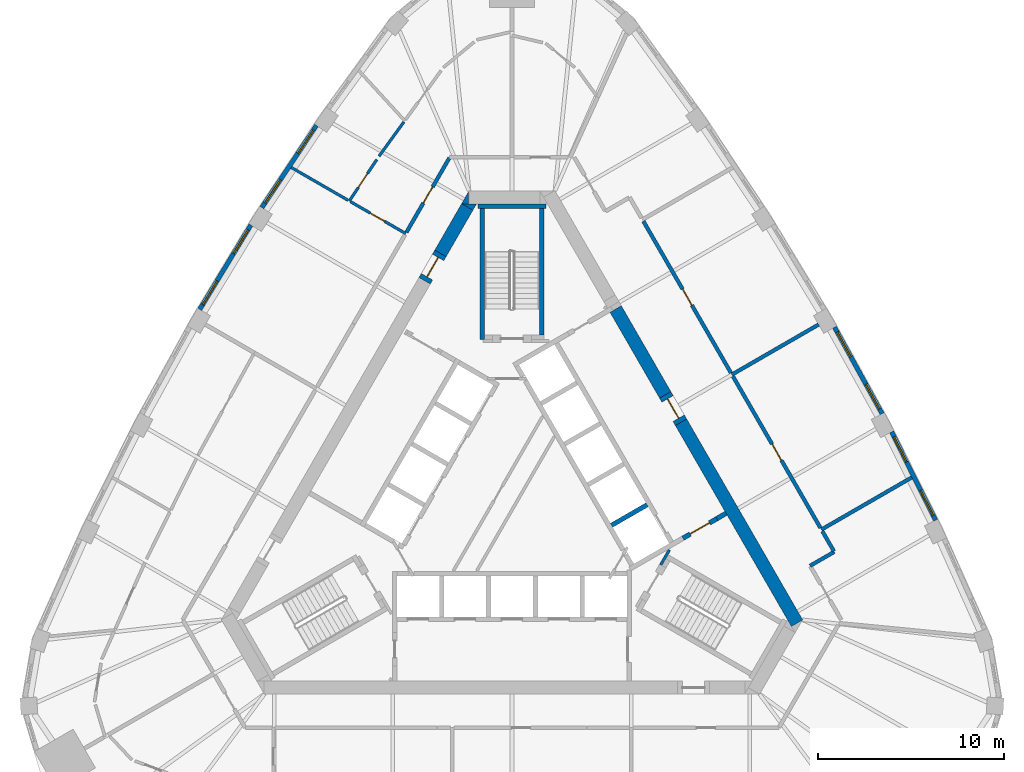
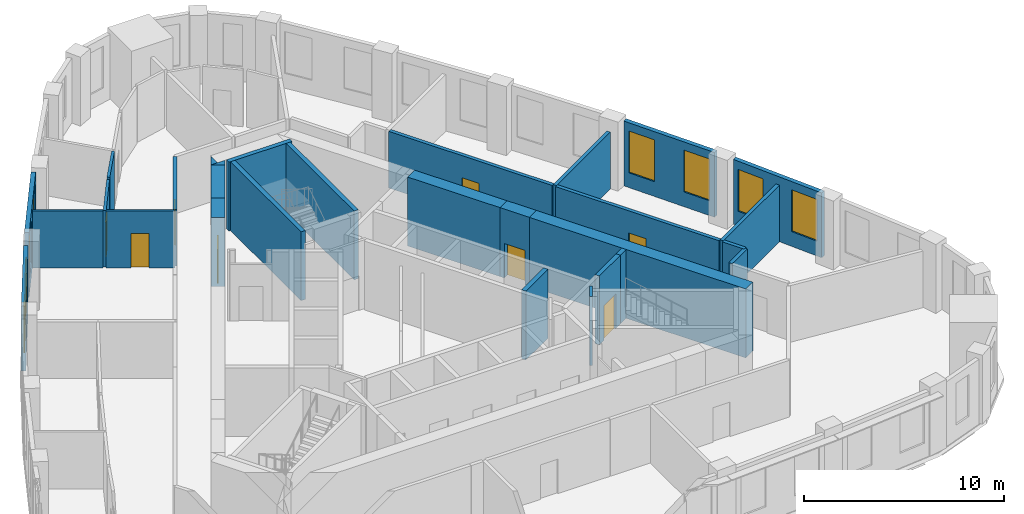
# One storey, part 7 of 10: 29 walls, 8 doors, 8 windows, 16 openings.
"""IFC4 building model written with IfcOpenShell, lengths in metres."""

import ifcopenshell
import ifcopenshell.guid

model = None  # the IFC model being written
_history = None  # IfcOwnerHistory: only IFC2X3 demands one
_inside = {}  # id of a spatial element -> (the spatial element, [elements in it])
_under = {}  # id of a project, library or spatial element -> (it, [spatial elements below it])
_declared = {}  # id of a project -> (the project, [libraries it declares])
_typed = {}  # id of a type object -> (the type object, [elements of that type])
_made_of = {}  # id of a material, layer set ... -> (it, [elements and type objects made of it])


def new_model(schema):
    """Start an empty IFC model of exactly this schema.

    Asked for "IFC4X3", IfcOpenShell would pick the latest addendum, in which some entities
    have other attributes; the version numbers below select the first issue.
    IFC2X3 requires an IfcOwnerHistory on every rooted entity: one is made here for all.
    """
    global model, _history
    if schema == "IFC4X3":
        model = ifcopenshell.file(schema_version=(4, 3, 0, 0))
    else:
        model = ifcopenshell.file(schema=schema)
    _inside.clear()
    _under.clear()
    _declared.clear()
    _typed.clear()
    _made_of.clear()
    _history = None
    if model.schema == "IFC2X3":
        org = make("IfcOrganization", Name="unknown")
        user = make(
            "IfcPersonAndOrganization",
            ThePerson=make("IfcPerson", FamilyName="unknown"),
            TheOrganization=org,
        )
        app = make(
            "IfcApplication",
            ApplicationDeveloper=org,
            Version="unknown",
            ApplicationFullName="unknown",
            ApplicationIdentifier="unknown",
        )
        _history = make(
            "IfcOwnerHistory",
            OwningUser=user,
            OwningApplication=app,
            ChangeAction="ADDED",
            CreationDate=0,
        )
    return model


def make(cls, **values):
    """One entity of the class cls with the attributes given. An attribute that is None is left unset."""
    return model.create_entity(
        cls, **{name: value for name, value in values.items() if value is not None}
    )


def rooted(cls, **values):
    """An entity with a GlobalId (a new one), such as an element, a storey or a relation."""
    return make(cls, GlobalId=ifcopenshell.guid.new(), OwnerHistory=_history, **values)


def si_unit(unit_type, name, prefix=None):
    """IfcSIUnit, for example si_unit("LENGTHUNIT", "METRE", prefix="MILLI")."""
    return make("IfcSIUnit", UnitType=unit_type, Prefix=prefix, Name=name)


def assignment(units):
    """IfcUnitAssignment: the units of a project."""
    return None if units is None else make("IfcUnitAssignment", Units=units)


def point(xyz):
    """IfcCartesianPoint."""
    return None if xyz is None else make("IfcCartesianPoint", Coordinates=xyz)


def direction(xyz):
    """IfcDirection."""
    return None if xyz is None else make("IfcDirection", DirectionRatios=xyz)


def frame(location, z_axis=None, x_axis=None):
    """IfcAxis2Placement3D, a coordinate frame: its origin and axes. An axis left out is left unset."""
    return make(
        "IfcAxis2Placement3D",
        Location=point(location),
        Axis=direction(z_axis),
        RefDirection=direction(x_axis),
    )


def frame_2d(location, x_axis=None):
    """IfcAxis2Placement2D, a coordinate frame in the plane: its origin and x axis."""
    return make(
        "IfcAxis2Placement2D", Location=point(location), RefDirection=direction(x_axis)
    )


def origin():
    """The frame at (0, 0, 0) with its axes left unset."""
    return frame((0.0, 0.0, 0.0))


def place(relative_to, where):
    """IfcLocalPlacement: puts the frame where relative to a parent placement (None: the world)."""
    return make(
        "IfcLocalPlacement", PlacementRelTo=relative_to, RelativePlacement=where
    )


def context(
    kind, dimensions, precision=None, world=None, true_north=None, identifier=None
):
    """IfcGeometricRepresentationContext, for example the 3D "Model" context."""
    return make(
        "IfcGeometricRepresentationContext",
        ContextIdentifier=identifier,
        ContextType=kind,
        CoordinateSpaceDimension=dimensions,
        Precision=precision,
        WorldCoordinateSystem=world,
        TrueNorth=true_north,
    )


def subcontext(parent, identifier, kind, view, scale=None):
    """IfcGeometricRepresentationSubContext, for example "Body" below "Model"."""
    return make(
        "IfcGeometricRepresentationSubContext",
        ContextIdentifier=identifier,
        ContextType=kind,
        ParentContext=parent,
        TargetScale=scale,
        TargetView=view,
    )


def project(units=None, contexts=None):
    """IfcProject with its units and contexts."""
    return rooted(
        "IfcProject",
        Name="project",
        RepresentationContexts=contexts,
        UnitsInContext=assignment(units),
    )


def spatial(cls, under=None, at=None, **own):
    """A site, building, storey or space (cls), placed at a placement, below another one or the project."""
    s = rooted(cls, ObjectPlacement=at, **own)
    if under is not None:
        _under.setdefault(under.id(), (under, []))[1].append(s)
    return s


def polyline(points):
    """IfcPolyline through the points."""
    return make("IfcPolyline", Points=[point(p) for p in points])


def profile(cls, at=None, kind="AREA", **sizes):
    """A parametric profile (cls). Its sizes go by their IFC names, for example OverallWidth=200.0."""
    return make(cls, ProfileType=kind, Position=at, **sizes)


def rectangle(**sizes):
    """IfcRectangleProfileDef."""
    return profile("IfcRectangleProfileDef", **sizes)


def outline(outer, holes=None, kind="AREA"):
    """IfcArbitraryClosedProfileDef: a profile drawn as a closed curve; with holes, ...WithVoids."""
    if holes is None:
        return make("IfcArbitraryClosedProfileDef", ProfileType=kind, OuterCurve=outer)
    return make(
        "IfcArbitraryProfileDefWithVoids",
        ProfileType=kind,
        OuterCurve=outer,
        InnerCurves=holes,
    )


def extrude(swept, where, along, depth):
    """IfcExtrudedAreaSolid: the profile swept, set in the frame where, extruded along a direction by depth."""
    return make(
        "IfcExtrudedAreaSolid",
        SweptArea=swept,
        Position=where,
        ExtrudedDirection=direction(along),
        Depth=depth,
    )


def shape(context_of_items, identifier, shape_type, items):
    """IfcShapeRepresentation: the items that make up one representation, for example the "Body"."""
    return make(
        "IfcShapeRepresentation",
        ContextOfItems=context_of_items,
        RepresentationIdentifier=identifier,
        RepresentationType=shape_type,
        Items=items,
    )


def material(Name=None, Category=None):
    """IfcMaterial."""
    return make("IfcMaterial", Name=Name, Category=Category)


def layer(
    of_material, thickness, ventilated=None, Name=None, Category=None, Priority=None
):
    """IfcMaterialLayer: one layer of a wall or slab, of a material (None: an air gap)."""
    return make(
        "IfcMaterialLayer",
        Material=of_material,
        LayerThickness=thickness,
        IsVentilated=ventilated,
        Name=Name,
        Category=Category,
        Priority=Priority,
    )


def layer_set(layers, Name=None):
    """IfcMaterialLayerSet."""
    return make("IfcMaterialLayerSet", MaterialLayers=layers, LayerSetName=Name)


def made_of(thing, what):
    """Note that an element or type object is made of a material, layer set ...; save() writes the relation."""
    if what is not None:
        _made_of.setdefault(what.id(), (what, []))[1].append(thing)
    return thing


def type_object(cls, material=None, **own):
    """A type object (cls), such as IfcWallType, which elements share."""
    return made_of(rooted(cls, **own), material)


def element(
    cls,
    number,
    at=None,
    inside=None,
    cuts=None,
    type_object=None,
    material=None,
    context=None,
    identifier="Body",
    shape_type=None,
    held_by="IfcProductDefinitionShape",
    body=None,
    shapes=None,
    **own,
):
    """One element of the class cls, such as IfcWall. Its Tag is "e" and its number.

    at: its placement. inside: the storey or other place that contains it. cuts: it is an
    opening in that element (IfcRelVoidsElement). A single representation is given by context,
    identifier, shape_type and body (its items); several are given by shapes. held_by: the class
    of the entity that holds the representations. save() writes the other relations.
    """
    e = rooted(cls, Tag="e%d" % number, ObjectPlacement=at, **own)
    if body is not None:
        shapes = [shape(context, identifier, shape_type, body)]
    if shapes is not None:
        e.Representation = make(held_by, Representations=shapes)
    if inside is not None:
        _inside.setdefault(inside.id(), (inside, []))[1].append(e)
    if cuts is not None:
        rooted(
            "IfcRelVoidsElement", RelatingBuildingElement=cuts, RelatedOpeningElement=e
        )
    if type_object is not None:
        _typed.setdefault(type_object.id(), (type_object, []))[1].append(e)
    return made_of(e, material)


def fill(opening, filler):
    """IfcRelFillsElement: the door or window that sits in an opening."""
    return rooted(
        "IfcRelFillsElement",
        RelatingOpeningElement=opening,
        RelatedBuildingElement=filler,
    )


def aggregate(whole, parts):
    """IfcRelAggregates: a whole, such as a stair, and the parts it consists of."""
    return rooted("IfcRelAggregates", RelatingObject=whole, RelatedObjects=parts)


def save(model, path):
    """Write the relations noted so far, then the file.

    IfcRelAggregates (storeys below a building ...), IfcRelContainedInSpatialStructure (elements
    in a storey), IfcRelDefinesByType, IfcRelAssociatesMaterial and IfcRelDeclares: one each for
    every whole, place, type object, material and project.
    """
    for whole, parts in _under.values():
        aggregate(whole, parts)
    for where, things in _inside.values():
        rooted(
            "IfcRelContainedInSpatialStructure",
            RelatedElements=things,
            RelatingStructure=where,
        )
    for kind, things in _typed.values():
        rooted("IfcRelDefinesByType", RelatedObjects=things, RelatingType=kind)
    for what, things in _made_of.values():
        rooted("IfcRelAssociatesMaterial", RelatedObjects=things, RelatingMaterial=what)
    for by, libraries in _declared.values():
        rooted("IfcRelDeclares", RelatingContext=by, RelatedDefinitions=libraries)
    model.write(path)


model = new_model("IFC4")

# Units and contexts
model_context = context("Model", 3, precision=1e-05, world=origin(), true_north=direction((0.0, 1.0)))
body_context = subcontext(model_context, "Body", "Model", "MODEL_VIEW")
ifc_project = project(units=[si_unit("LENGTHUNIT", "METRE"), si_unit("AREAUNIT", "SQUARE_METRE"), si_unit("VOLUMEUNIT", "CUBIC_METRE"), si_unit("PLANEANGLEUNIT", "RADIAN"), si_unit("MASSUNIT", "GRAM", prefix="KILO")], contexts=[model_context])

# Site, building, storey
site_placement = place(None, origin())
site = spatial("IfcSite", under=ifc_project, at=site_placement, CompositionType="ELEMENT")
building_placement = place(site_placement, origin())
building = spatial("IfcBuilding", under=site, at=building_placement, Name="Mestral Congress Tower", CompositionType="ELEMENT")
storey_placement = place(building_placement, frame((0.0, 0.0, 222.60009765625)))
storey = spatial("IfcBuildingStorey", under=building, at=storey_placement, Name="L52", CompositionType="ELEMENT", Elevation=222.60009765625)

# Walls
ifc_material_1 = material(Name="Concrete C60/75", Category="concrete")
ifc_layer_1 = layer(ifc_material_1, 0.699951171875)
ifc_layer_set_1 = layer_set([ifc_layer_1], Name="Concrete C60/75")
wall_type_1 = type_object("IfcWallType", Name="Core wall RC 700", PredefinedType="SOLIDWALL", material=ifc_layer_set_1)
wall_1_placement = place(storey_placement, frame((9.085205078125, 4.263916015625, 0.0), z_axis=(0.0, 0.0, 1.0), x_axis=(0.499998082512, -0.866026510844, 0.0)))
element("IfcWall", 1, at=wall_1_placement, inside=storey, type_object=wall_type_1, Name="L52 core wall", PredefinedType="SOLIDWALL", context=body_context, shape_type="SweptSolid", body=[
    extrude(rectangle(XDim=12.47216796875, YDim=0.699951171875, at=frame_2d((6.236083984375, 0.0))), origin(), (0.0, 0.0, 1.0), 4.199951171875),
])
wall_2_placement = place(storey_placement, frame((5.5712890625, 10.350341796875, 0.0), z_axis=(0.0, 0.0, 1.0), x_axis=(0.499968379186, -0.8660436593, 0.0)))
element("IfcWall", 2, at=wall_2_placement, inside=storey, type_object=wall_type_1, Name="L52 core wall", PredefinedType="SOLIDWALL", context=body_context, shape_type="SweptSolid", body=[
    extrude(rectangle(XDim=5.327880859375, YDim=0.699951171875, at=frame_2d((2.6640625, 0.0))), origin(), (0.0, 0.0, 1.0), 4.199951171875),
])
placement = place(storey_placement, origin())
element("IfcWall", 3, at=placement, inside=storey, type_object=wall_type_1, Name="L52 core wall", PredefinedType="SOLIDWALL", context=body_context, shape_type="SweptSolid", body=[
    extrude(outline(polyline([(-2.71337890625, 16.0), (-2.325439453125, 16.672119140625), (-2.325439453125, 16.0), (-2.71337890625, 16.0)])), origin(), (0.0, 0.0, 1.0), 4.199951171875),
])
wall_4_placement = place(storey_placement, frame((-2.4033203125, 15.837158203125, 0.0), z_axis=(0.0, 0.0, 1.0), x_axis=(-0.500008214683, -0.866020660983, 0.0)))
element("IfcWall", 4, at=wall_4_placement, inside=storey, type_object=wall_type_1, Name="L52 core wall", PredefinedType="SOLIDWALL", context=body_context, shape_type="SweptSolid", body=[
    extrude(rectangle(XDim=2.88427734375, YDim=0.699951171875, at=frame_2d((1.442138671875, 0.0))), origin(), (0.0, 0.0, 1.0), 4.199951171875),
])
element("IfcWall", 5, at=placement, inside=storey, type_object=wall_type_1, Name="L52 core wall", PredefinedType="SOLIDWALL", context=body_context, shape_type="SweptSolid", body=[
    extrude(outline(polyline([(-1.9052734375, 16.0), (-2.099365234375, 15.6640625), (-2.681396484375, 16.0), (-1.9052734375, 16.0)])), origin(), (0.0, 0.0, 1.0), 4.199951171875),
])

# Wall, opening, door
wall_6_placement = place(storey_placement, frame((-4.695556640625, 11.866943359375, 0.0), z_axis=(0.0, 0.0, 1.0), x_axis=(0.499892348375, 0.866087547558, 0.0)))
wall_6 = element("IfcWall", 6, at=wall_6_placement, inside=storey, type_object=wall_type_1, Name="L52 door wall", PredefinedType="SOLIDWALL", context=body_context, shape_type="SweptSolid", body=[
    extrude(rectangle(XDim=1.699951171875, YDim=0.699951171875, at=frame_2d((0.85009765625, 0.0))), origin(), (0.0, 0.0, 1.0), 4.199951171875),
])
opening_1_placement = place(wall_6_placement, frame((0.25, 0.0, 0.0)))
opening_1 = element("IfcOpeningElement", 7, at=opening_1_placement, cuts=wall_6, Name="Opening XD2", PredefinedType="OPENING", context=body_context, shape_type="SweptSolid", body=[
    extrude(rectangle(XDim=1.199951171875, YDim=2.10009765625, at=frame_2d((0.60009765625, 1.050048828125))), frame((0.0, 0.35986328125, 0.0), z_axis=(0.0, -1.0, 0.0), x_axis=(1.0, 0.0, 0.0)), (0.0, 0.0, 1.0), 0.719970703125),
])
ifc_material_2 = material(Name="Fire-rated steel door set", Category="steel")
door_type_1 = type_object("IfcDoorType", Name="Core door XD 1200x2100", OperationType="SINGLE_SWING_LEFT", PredefinedType="DOOR", material=ifc_material_2)
door_1_placement = place(opening_1_placement, origin())
door_1 = element("IfcDoor", 8, at=door_1_placement, inside=storey, type_object=door_type_1, Name="Door XD2", OperationType="SINGLE_SWING_LEFT", OverallHeight=2.10009765625, OverallWidth=1.199951171875, PredefinedType="DOOR", context=body_context, shape_type="SweptSolid", body=[
    extrude(rectangle(XDim=1.199951171875, YDim=2.10009765625, at=frame_2d((0.60009765625, 1.050048828125))), frame((0.0, 0.02490234375, 0.0), z_axis=(0.0, -1.0, 0.0), x_axis=(1.0, 0.0, 0.0)), (0.0, 0.0, 1.0), 0.050048828125),
])
fill(opening_1, door_1)

wall_7_placement = place(storey_placement, frame((8.2353515625, 5.736083984375, 0.0), z_axis=(0.0, 0.0, 1.0), x_axis=(0.499954529098, -0.86605165483, 0.0)))
wall_7 = element("IfcWall", 9, at=wall_7_placement, inside=storey, type_object=wall_type_1, Name="L52 door wall", PredefinedType="SOLIDWALL", context=body_context, shape_type="SweptSolid", body=[
    extrude(rectangle(XDim=1.699951171875, YDim=0.699951171875, at=frame_2d((0.85009765625, 0.0))), origin(), (0.0, 0.0, 1.0), 4.199951171875),
])
opening_2_placement = place(wall_7_placement, frame((0.25, 0.0, 0.0)))
opening_2 = element("IfcOpeningElement", 10, at=opening_2_placement, cuts=wall_7, Name="Opening XDL", PredefinedType="OPENING", context=body_context, shape_type="SweptSolid", body=[
    extrude(rectangle(XDim=1.199951171875, YDim=2.10009765625, at=frame_2d((0.60009765625, 1.050048828125))), frame((0.0, 0.35986328125, 0.0), z_axis=(0.0, -1.0, 0.0), x_axis=(1.0, 0.0, 0.0)), (0.0, 0.0, 1.0), 0.719970703125),
])
door_2_placement = place(opening_2_placement, origin())
door_2 = element("IfcDoor", 11, at=door_2_placement, inside=storey, type_object=door_type_1, Name="Door XDL", OperationType="SINGLE_SWING_LEFT", OverallHeight=2.10009765625, OverallWidth=1.199951171875, PredefinedType="DOOR", context=body_context, shape_type="SweptSolid", body=[
    extrude(rectangle(XDim=1.199951171875, YDim=2.10009765625, at=frame_2d((0.60009765625, 1.050048828125))), frame((0.0, 0.02490234375, 0.0), z_axis=(0.0, -1.0, 0.0), x_axis=(1.0, 0.0, 0.0)), (0.0, 0.0, 1.0), 0.050048828125),
])
fill(opening_2, door_2)

# Wall, openings, windows
ifc_material_3 = material(Name="Precast concrete C40/50 with limestone facing", Category="masonry")
ifc_layer_2 = layer(ifc_material_3, 0.239990234375)
ifc_layer_set_2 = layer_set([ifc_layer_2], Name="Precast concrete C40/50 with limestone facing")
wall_type_2 = type_object("IfcWallType", Name="Facade stone wall 240", PredefinedType="SOLIDWALL", material=ifc_layer_set_2)
wall_8_placement = place(storey_placement, frame((22.765869140625, -1.0048828125, 0.0), z_axis=(0.0, 0.0, 1.0), x_axis=(-0.445129582031, 0.895466166419, 0.0)))
wall_8 = element("IfcWall", 12, at=wall_8_placement, inside=storey, type_object=wall_type_2, Name="Facade wall F1-01", PredefinedType="SOLIDWALL", context=body_context, shape_type="SweptSolid", body=[
    extrude(rectangle(XDim=5.29833984375, YDim=0.239990234375, at=frame_2d((2.649169921875, 0.0))), origin(), (0.0, 0.0, 1.0), 3.949951171875),
])
opening_3_placement = place(wall_8_placement, frame((0.294677734375, 0.0, 0.89990234375)))
opening_3 = element("IfcOpeningElement", 13, at=opening_3_placement, cuts=wall_8, Name="Opening W4", PredefinedType="OPENING", context=body_context, shape_type="SweptSolid", body=[
    extrude(rectangle(XDim=1.5, YDim=2.550048828125, at=frame_2d((0.75, 1.27490234375))), frame((0.0, 0.1298828125, 0.0), z_axis=(0.0, -1.0, 0.0), x_axis=(1.0, 0.0, 0.0)), (0.0, 0.0, 1.0), 0.260009765625),
])
opening_4_placement = place(wall_8_placement, frame((3.503662109375, 0.0, 0.89990234375)))
opening_4 = element("IfcOpeningElement", 14, at=opening_4_placement, cuts=wall_8, Name="Opening W4", PredefinedType="OPENING", context=body_context, shape_type="SweptSolid", body=[
    extrude(rectangle(XDim=1.5, YDim=2.550048828125, at=frame_2d((0.75, 1.27490234375))), frame((0.0, 0.1298828125, 0.0), z_axis=(0.0, -1.0, 0.0), x_axis=(1.0, 0.0, 0.0)), (0.0, 0.0, 1.0), 0.260009765625),
])
ifc_material_4 = material(Name="Clear low-emissivity double glazing", Category="glass")
window_type = type_object("IfcWindowType", Name="Facade punched window 1500 x 2550 sill 900", PartitioningType="SINGLE_PANEL", PredefinedType="WINDOW", material=ifc_material_4)
window_1_placement = place(opening_3_placement, origin())
window_1 = element("IfcWindow", 15, at=window_1_placement, inside=storey, type_object=window_type, Name="Window F1-01a", OverallHeight=2.550048828125, OverallWidth=1.5, PartitioningType="SINGLE_PANEL", PredefinedType="WINDOW", context=body_context, shape_type="SweptSolid", body=[
    extrude(rectangle(XDim=1.5, YDim=2.550048828125, at=frame_2d((0.75, 1.27490234375))), frame((0.0, 0.0400390625, 0.0), z_axis=(0.0, -1.0, 0.0), x_axis=(1.0, 0.0, 0.0)), (0.0, 0.0, 1.0), 0.06005859375),
])
fill(opening_3, window_1)
window_2_placement = place(opening_4_placement, origin())
window_2 = element("IfcWindow", 16, at=window_2_placement, inside=storey, type_object=window_type, Name="Window F1-01b", OverallHeight=2.550048828125, OverallWidth=1.5, PartitioningType="SINGLE_PANEL", PredefinedType="WINDOW", context=body_context, shape_type="SweptSolid", body=[
    extrude(rectangle(XDim=1.5, YDim=2.550048828125, at=frame_2d((0.75, 1.27490234375))), frame((0.0, 0.0400390625, 0.0), z_axis=(0.0, -1.0, 0.0), x_axis=(1.0, 0.0, 0.0)), (0.0, 0.0, 1.0), 0.06005859375),
])
fill(opening_4, window_2)

wall_9_placement = place(storey_placement, frame((19.8916015625, 4.725341796875, 0.0), z_axis=(0.0, 0.0, 1.0), x_axis=(-0.481925825015, 0.876212017256, 0.0)))
wall_9 = element("IfcWall", 17, at=wall_9_placement, inside=storey, type_object=wall_type_2, Name="Facade wall F1-02", PredefinedType="SOLIDWALL", context=body_context, shape_type="SweptSolid", body=[
    extrude(rectangle(XDim=5.298583984375, YDim=0.239990234375, at=frame_2d((2.6494140625, 0.0))), origin(), (0.0, 0.0, 1.0), 3.949951171875),
])
opening_5_placement = place(wall_9_placement, frame((0.294677734375, 0.0, 0.89990234375)))
opening_5 = element("IfcOpeningElement", 18, at=opening_5_placement, cuts=wall_9, Name="Opening W4", PredefinedType="OPENING", context=body_context, shape_type="SweptSolid", body=[
    extrude(rectangle(XDim=1.5, YDim=2.550048828125, at=frame_2d((0.75, 1.27490234375))), frame((0.0, 0.1298828125, 0.0), z_axis=(0.0, -1.0, 0.0), x_axis=(1.0, 0.0, 0.0)), (0.0, 0.0, 1.0), 0.260009765625),
])
opening_6_placement = place(wall_9_placement, frame((3.503662109375, 0.0, 0.89990234375)))
opening_6 = element("IfcOpeningElement", 19, at=opening_6_placement, cuts=wall_9, Name="Opening W4", PredefinedType="OPENING", context=body_context, shape_type="SweptSolid", body=[
    extrude(rectangle(XDim=1.5, YDim=2.550048828125, at=frame_2d((0.75, 1.27490234375))), frame((0.0, 0.1298828125, 0.0), z_axis=(0.0, -1.0, 0.0), x_axis=(1.0, 0.0, 0.0)), (0.0, 0.0, 1.0), 0.260009765625),
])
window_3_placement = place(opening_5_placement, origin())
window_3 = element("IfcWindow", 20, at=window_3_placement, inside=storey, type_object=window_type, Name="Window F1-02a", OverallHeight=2.550048828125, OverallWidth=1.5, PartitioningType="SINGLE_PANEL", PredefinedType="WINDOW", context=body_context, shape_type="SweptSolid", body=[
    extrude(rectangle(XDim=1.5, YDim=2.550048828125, at=frame_2d((0.75, 1.27490234375))), frame((0.0, 0.0400390625, 0.0), z_axis=(0.0, -1.0, 0.0), x_axis=(1.0, 0.0, 0.0)), (0.0, 0.0, 1.0), 0.06005859375),
])
fill(opening_5, window_3)
window_4_placement = place(opening_6_placement, origin())
window_4 = element("IfcWindow", 21, at=window_4_placement, inside=storey, type_object=window_type, Name="Window F1-02b", OverallHeight=2.550048828125, OverallWidth=1.5, PartitioningType="SINGLE_PANEL", PredefinedType="WINDOW", context=body_context, shape_type="SweptSolid", body=[
    extrude(rectangle(XDim=1.5, YDim=2.550048828125, at=frame_2d((0.75, 1.27490234375))), frame((0.0, 0.0400390625, 0.0), z_axis=(0.0, -1.0, 0.0), x_axis=(1.0, 0.0, 0.0)), (0.0, 0.0, 1.0), 0.06005859375),
])
fill(opening_6, window_4)

wall_10_placement = place(storey_placement, frame((-10.5126953125, 20.21826171875, 0.0), z_axis=(0.0, 0.0, 1.0), x_axis=(-0.552901821755, -0.833246407433, 0.0)))
wall_10 = element("IfcWall", 22, at=wall_10_placement, inside=storey, type_object=wall_type_2, Name="Facade wall F2-01", PredefinedType="SOLIDWALL", context=body_context, shape_type="SweptSolid", body=[
    extrude(rectangle(XDim=5.29833984375, YDim=0.239990234375, at=frame_2d((2.649169921875, 0.0))), origin(), (0.0, 0.0, 1.0), 3.949951171875),
])
opening_7_placement = place(wall_10_placement, frame((0.29443359375, 0.0, 0.89990234375)))
opening_7 = element("IfcOpeningElement", 23, at=opening_7_placement, cuts=wall_10, Name="Opening W4", PredefinedType="OPENING", context=body_context, shape_type="SweptSolid", body=[
    extrude(rectangle(XDim=1.5, YDim=2.550048828125, at=frame_2d((0.75, 1.27490234375))), frame((0.0, 0.1298828125, 0.0), z_axis=(0.0, -1.0, 0.0), x_axis=(1.0, 0.0, 0.0)), (0.0, 0.0, 1.0), 0.260009765625),
])
opening_8_placement = place(wall_10_placement, frame((3.503662109375, 0.0, 0.89990234375)))
opening_8 = element("IfcOpeningElement", 24, at=opening_8_placement, cuts=wall_10, Name="Opening W4", PredefinedType="OPENING", context=body_context, shape_type="SweptSolid", body=[
    extrude(rectangle(XDim=1.5, YDim=2.550048828125, at=frame_2d((0.75, 1.27490234375))), frame((0.0, 0.1298828125, 0.0), z_axis=(0.0, -1.0, 0.0), x_axis=(1.0, 0.0, 0.0)), (0.0, 0.0, 1.0), 0.260009765625),
])
window_5_placement = place(opening_7_placement, origin())
window_5 = element("IfcWindow", 25, at=window_5_placement, inside=storey, type_object=window_type, Name="Window F2-01a", OverallHeight=2.550048828125, OverallWidth=1.5, PartitioningType="SINGLE_PANEL", PredefinedType="WINDOW", context=body_context, shape_type="SweptSolid", body=[
    extrude(rectangle(XDim=1.5, YDim=2.550048828125, at=frame_2d((0.75, 1.27490234375))), frame((0.0, 0.0400390625, 0.0), z_axis=(0.0, -1.0, 0.0), x_axis=(1.0, 0.0, 0.0)), (0.0, 0.0, 1.0), 0.06005859375),
])
fill(opening_7, window_5)
window_6_placement = place(opening_8_placement, origin())
window_6 = element("IfcWindow", 26, at=window_6_placement, inside=storey, type_object=window_type, Name="Window F2-01b", OverallHeight=2.550048828125, OverallWidth=1.5, PartitioningType="SINGLE_PANEL", PredefinedType="WINDOW", context=body_context, shape_type="SweptSolid", body=[
    extrude(rectangle(XDim=1.5, YDim=2.550048828125, at=frame_2d((0.75, 1.27490234375))), frame((0.0, 0.0400390625, 0.0), z_axis=(0.0, -1.0, 0.0), x_axis=(1.0, 0.0, 0.0)), (0.0, 0.0, 1.0), 0.06005859375),
])
fill(opening_8, window_6)

wall_11_placement = place(storey_placement, frame((-14.0380859375, 14.86376953125, 0.0), z_axis=(0.0, 0.0, 1.0), x_axis=(-0.517846166225, -0.855473756538, 0.0)))
wall_11 = element("IfcWall", 27, at=wall_11_placement, inside=storey, type_object=wall_type_2, Name="Facade wall F2-02", PredefinedType="SOLIDWALL", context=body_context, shape_type="SweptSolid", body=[
    extrude(rectangle(XDim=5.298095703125, YDim=0.239990234375, at=frame_2d((2.64892578125, 0.0))), origin(), (0.0, 0.0, 1.0), 3.949951171875),
])
opening_9_placement = place(wall_11_placement, frame((0.29443359375, 0.0, 0.89990234375)))
opening_9 = element("IfcOpeningElement", 28, at=opening_9_placement, cuts=wall_11, Name="Opening W4", PredefinedType="OPENING", context=body_context, shape_type="SweptSolid", body=[
    extrude(rectangle(XDim=1.5, YDim=2.550048828125, at=frame_2d((0.75, 1.27490234375))), frame((0.0, 0.1298828125, 0.0), z_axis=(0.0, -1.0, 0.0), x_axis=(1.0, 0.0, 0.0)), (0.0, 0.0, 1.0), 0.260009765625),
])
opening_10_placement = place(wall_11_placement, frame((3.503662109375, 0.0, 0.89990234375)))
opening_10 = element("IfcOpeningElement", 29, at=opening_10_placement, cuts=wall_11, Name="Opening W4", PredefinedType="OPENING", context=body_context, shape_type="SweptSolid", body=[
    extrude(rectangle(XDim=1.5, YDim=2.550048828125, at=frame_2d((0.75, 1.27490234375))), frame((0.0, 0.1298828125, 0.0), z_axis=(0.0, -1.0, 0.0), x_axis=(1.0, 0.0, 0.0)), (0.0, 0.0, 1.0), 0.260009765625),
])
window_7_placement = place(opening_9_placement, origin())
window_7 = element("IfcWindow", 30, at=window_7_placement, inside=storey, type_object=window_type, Name="Window F2-02a", OverallHeight=2.550048828125, OverallWidth=1.5, PartitioningType="SINGLE_PANEL", PredefinedType="WINDOW", context=body_context, shape_type="SweptSolid", body=[
    extrude(rectangle(XDim=1.5, YDim=2.550048828125, at=frame_2d((0.75, 1.27490234375))), frame((0.0, 0.0400390625, 0.0), z_axis=(0.0, -1.0, 0.0), x_axis=(1.0, 0.0, 0.0)), (0.0, 0.0, 1.0), 0.06005859375),
])
fill(opening_9, window_7)
window_8_placement = place(opening_10_placement, origin())
window_8 = element("IfcWindow", 31, at=window_8_placement, inside=storey, type_object=window_type, Name="Window F2-02b", OverallHeight=2.550048828125, OverallWidth=1.5, PartitioningType="SINGLE_PANEL", PredefinedType="WINDOW", context=body_context, shape_type="SweptSolid", body=[
    extrude(rectangle(XDim=1.5, YDim=2.550048828125, at=frame_2d((0.75, 1.27490234375))), frame((0.0, 0.0400390625, 0.0), z_axis=(0.0, -1.0, 0.0), x_axis=(1.0, 0.0, 0.0)), (0.0, 0.0, 1.0), 0.06005859375),
])
fill(opening_10, window_8)

# Wall
ifc_material_5 = material(Name="Plasterboard partition on steel studs", Category="steel")
ifc_layer_3 = layer(ifc_material_5, 0.14990234375)
ifc_layer_set_3 = layer_set([ifc_layer_3], Name="Plasterboard partition on steel studs")
wall_type_3 = type_object("IfcWallType", Name="Office partition 150", PredefinedType="PARTITIONING", material=ifc_layer_set_3)
wall_12_placement = place(storey_placement, frame((-5.80908203125, 20.4072265625, 0.0), z_axis=(0.0, 0.0, 1.0), x_axis=(-0.587095604593, -0.809517603927, 0.0)))
element("IfcWall", 32, at=wall_12_placement, inside=storey, type_object=wall_type_3, Name="Partition", PredefinedType="PARTITIONING", context=body_context, shape_type="SweptSolid", body=[
    extrude(rectangle(XDim=2.281005859375, YDim=0.14990234375, at=frame_2d((1.140625, 0.0))), origin(), (0.0, 0.0, 1.0), 3.449951171875),
])

# Wall, opening, door
wall_13_placement = place(storey_placement, frame((-8.74365234375, 16.156005859375, 0.0), z_axis=(0.0, 0.0, 1.0), x_axis=(0.552885218102, 0.833257424572, 0.0)))
wall_13 = element("IfcWall", 33, at=wall_13_placement, inside=storey, type_object=wall_type_3, Name="Partition", PredefinedType="PARTITIONING", context=body_context, shape_type="SweptSolid", body=[
    extrude(rectangle(XDim=2.671630859375, YDim=0.14990234375, at=frame_2d((1.3359375, 0.0))), origin(), (0.0, 0.0, 1.0), 3.449951171875),
])
opening_11_placement = place(wall_13_placement, frame((0.87158203125, 0.0, 0.0)))
opening_11 = element("IfcOpeningElement", 34, at=opening_11_placement, cuts=wall_13, Name="Opening O07-010", PredefinedType="OPENING", context=body_context, shape_type="SweptSolid", body=[
    extrude(rectangle(XDim=0.89990234375, YDim=2.10009765625, at=frame_2d((0.449951171875, 1.050048828125))), frame((0.0, 0.0849609375, 0.0), z_axis=(0.0, -1.0, 0.0), x_axis=(1.0, 0.0, 0.0)), (0.0, 0.0, 1.0), 0.169921875),
])
ifc_material_6 = material(Name="Timber door set", Category="wood")
door_type_2 = type_object("IfcDoorType", Name="Office door 900x2100", OperationType="SINGLE_SWING_LEFT", PredefinedType="DOOR", material=ifc_material_6)
door_3_placement = place(opening_11_placement, origin())
door_3 = element("IfcDoor", 35, at=door_3_placement, inside=storey, type_object=door_type_2, Name="Door O07-010", OperationType="SINGLE_SWING_LEFT", OverallHeight=2.10009765625, OverallWidth=0.89990234375, PredefinedType="DOOR", context=body_context, shape_type="SweptSolid", body=[
    extrude(rectangle(XDim=0.89990234375, YDim=2.10009765625, at=frame_2d((0.449951171875, 1.050048828125))), frame((0.0, 0.02490234375, 0.0), z_axis=(0.0, -1.0, 0.0), x_axis=(1.0, 0.0, 0.0)), (0.0, 0.0, 1.0), 0.050048828125),
])
fill(opening_11, door_3)

# Wall
wall_14_placement = place(storey_placement, frame((-8.808837890625, 16.193603515625, 0.0), z_axis=(0.0, 0.0, 1.0), x_axis=(-0.865996792572, 0.500049552799, 0.0)))
element("IfcWall", 36, at=wall_14_placement, inside=storey, type_object=wall_type_3, Name="Partition", PredefinedType="PARTITIONING", context=body_context, shape_type="SweptSolid", body=[
    extrude(rectangle(XDim=3.531982421875, YDim=0.14990234375, at=frame_2d((1.76611328125, 0.0))), origin(), (0.0, 0.0, 1.0), 3.449951171875),
])

# Wall, opening, door
wall_15_placement = place(storey_placement, frame((-5.71240234375, 14.406005859375, 0.0), z_axis=(0.0, 0.0, 1.0), x_axis=(-0.866050272892, 0.499956922968, 0.0)))
wall_15 = element("IfcWall", 37, at=wall_15_placement, inside=storey, type_object=wall_type_3, Name="Partition", PredefinedType="PARTITIONING", context=body_context, shape_type="SweptSolid", body=[
    extrude(rectangle(XDim=3.425048828125, YDim=0.14990234375, at=frame_2d((1.71240234375, 0.0))), origin(), (0.0, 0.0, 1.0), 3.449951171875),
])
opening_12_placement = place(wall_15_placement, frame((1.300048828125, 0.0, 0.0)))
opening_12 = element("IfcOpeningElement", 38, at=opening_12_placement, cuts=wall_15, Name="Opening O07-012", PredefinedType="OPENING", context=body_context, shape_type="SweptSolid", body=[
    extrude(rectangle(XDim=0.89990234375, YDim=2.10009765625, at=frame_2d((0.449951171875, 1.050048828125))), frame((0.0, 0.0849609375, 0.0), z_axis=(0.0, -1.0, 0.0), x_axis=(1.0, 0.0, 0.0)), (0.0, 0.0, 1.0), 0.169921875),
])
door_4_placement = place(opening_12_placement, origin())
door_4 = element("IfcDoor", 39, at=door_4_placement, inside=storey, type_object=door_type_2, Name="Door O07-012", OperationType="SINGLE_SWING_RIGHT", OverallHeight=2.10009765625, OverallWidth=0.89990234375, PredefinedType="DOOR", context=body_context, shape_type="SweptSolid", body=[
    extrude(rectangle(XDim=0.89990234375, YDim=2.10009765625, at=frame_2d((0.449951171875, 1.050048828125))), frame((0.0, 0.02490234375, 0.0), z_axis=(0.0, -1.0, 0.0), x_axis=(1.0, 0.0, 0.0)), (0.0, 0.0, 1.0), 0.050048828125),
])
fill(opening_12, door_4)

# Walls
ifc_material_7 = material(Name="Dense masonry wall, plastered", Category="masonry")
ifc_layer_4 = layer(ifc_material_7, 0.199951171875)
ifc_layer_set_4 = layer_set([ifc_layer_4], Name="Dense masonry wall, plastered")
wall_type_4 = type_object("IfcWallType", Name="Office tenancy wall 200", PredefinedType="PARTITIONING", material=ifc_layer_set_4)
wall_16_placement = place(storey_placement, frame((16.631103515625, -1.505859375, 0.0), z_axis=(0.0, 0.0, 1.0), x_axis=(0.866045655253, 0.499964921787, 0.0)))
element("IfcWall", 40, at=wall_16_placement, inside=storey, type_object=wall_type_4, Name="Tenancy wall", PredefinedType="PARTITIONING", context=body_context, shape_type="SweptSolid", body=[
    extrude(rectangle(XDim=5.607421875, YDim=0.199951171875, at=frame_2d((2.8037109375, 0.0))), origin(), (0.0, 0.0, 1.0), 3.449951171875),
])
wall_17_placement = place(storey_placement, frame((16.022216796875, -3.451416015625, 0.0), z_axis=(0.0, 0.0, 1.0), x_axis=(0.866031096941, 0.499990139034, 0.0)))
element("IfcWall", 41, at=wall_17_placement, inside=storey, type_object=wall_type_4, Name="Tenancy wall", PredefinedType="PARTITIONING", context=body_context, shape_type="SweptSolid", body=[
    extrude(rectangle(XDim=1.5, YDim=0.199951171875, at=frame_2d((0.75, 0.0))), origin(), (0.0, 0.0, 1.0), 3.449951171875),
])
wall_18_placement = place(storey_placement, frame((17.30615234375, -2.67529296875, 0.0), z_axis=(0.0, 0.0, 1.0), x_axis=(-0.499919672301, 0.866071776036, 0.0)))
element("IfcWall", 42, at=wall_18_placement, inside=storey, type_object=wall_type_4, Name="Tenancy wall", PredefinedType="PARTITIONING", context=body_context, shape_type="SweptSolid", body=[
    extrude(rectangle(XDim=1.250244140625, YDim=0.199951171875, at=frame_2d((0.625, 0.0))), origin(), (0.0, 0.0, 1.0), 3.449951171875),
])
wall_19_placement = place(storey_placement, frame((11.8212890625, 6.824951171875, 0.0), z_axis=(0.0, 0.0, 1.0), x_axis=(0.866011792348, 0.500023574959, 0.0)))
element("IfcWall", 43, at=wall_19_placement, inside=storey, type_object=wall_type_4, Name="Tenancy wall", PredefinedType="PARTITIONING", context=body_context, shape_type="SweptSolid", body=[
    extrude(rectangle(XDim=5.380615234375, YDim=0.199951171875, at=frame_2d((2.6904296875, 0.0))), origin(), (0.0, 0.0, 1.0), 3.449951171875),
])

# Wall, opening, door
wall_20_placement = place(storey_placement, frame((16.5810546875, -1.419189453125, 0.0), z_axis=(0.0, 0.0, 1.0), x_axis=(-0.500019350398, 0.866014231539, 0.0)))
wall_20 = element("IfcWall", 44, at=wall_20_placement, inside=storey, type_object=wall_type_4, Name="Tenancy wall", PredefinedType="PARTITIONING", context=body_context, shape_type="SweptSolid", body=[
    extrude(rectangle(XDim=9.419677734375, YDim=0.199951171875, at=frame_2d((4.7099609375, 0.0))), origin(), (0.0, 0.0, 1.0), 3.449951171875),
])
opening_13_placement = place(wall_20_placement, frame((4.199951171875, 0.0, 0.0)))
opening_13 = element("IfcOpeningElement", 45, at=opening_13_placement, cuts=wall_20, Name="Opening O07-004", PredefinedType="OPENING", context=body_context, shape_type="SweptSolid", body=[
    extrude(rectangle(XDim=1.0, YDim=2.10009765625, at=frame_2d((0.5, 1.050048828125))), frame((0.0, 0.10986328125, 0.0), z_axis=(0.0, -1.0, 0.0), x_axis=(1.0, 0.0, 0.0)), (0.0, 0.0, 1.0), 0.219970703125),
])
ifc_material_8 = material(Name="Fire-rated timber door set", Category="wood")
door_type_3 = type_object("IfcDoorType", Name="Office tenancy entrance door 1000x2100", OperationType="SINGLE_SWING_LEFT", PredefinedType="DOOR", material=ifc_material_8)
door_5_placement = place(opening_13_placement, origin())
door_5 = element("IfcDoor", 46, at=door_5_placement, inside=storey, type_object=door_type_3, Name="Door O07-004", OperationType="SINGLE_SWING_LEFT", OverallHeight=2.10009765625, OverallWidth=1.0, PredefinedType="DOOR", context=body_context, shape_type="SweptSolid", body=[
    extrude(rectangle(XDim=1.0, YDim=2.10009765625, at=frame_2d((0.5, 1.050048828125))), frame((0.0, 0.02490234375, 0.0), z_axis=(0.0, -1.0, 0.0), x_axis=(1.0, 0.0, 0.0)), (0.0, 0.0, 1.0), 0.050048828125),
])
fill(opening_13, door_5)

wall_21_placement = place(storey_placement, frame((11.771240234375, 6.91162109375, 0.0), z_axis=(0.0, 0.0, 1.0), x_axis=(-0.500008127286, 0.866020711443, 0.0)))
wall_21 = element("IfcWall", 47, at=wall_21_placement, inside=storey, type_object=wall_type_4, Name="Tenancy wall", PredefinedType="PARTITIONING", context=body_context, shape_type="SweptSolid", body=[
    extrude(rectangle(XDim=9.419677734375, YDim=0.199951171875, at=frame_2d((4.7099609375, 0.0))), origin(), (0.0, 0.0, 1.0), 3.449951171875),
])
opening_14_placement = place(wall_21_placement, frame((4.199951171875, 0.0, 0.0)))
opening_14 = element("IfcOpeningElement", 48, at=opening_14_placement, cuts=wall_21, Name="Opening O07-005", PredefinedType="OPENING", context=body_context, shape_type="SweptSolid", body=[
    extrude(rectangle(XDim=1.0, YDim=2.10009765625, at=frame_2d((0.5, 1.050048828125))), frame((0.0, 0.10986328125, 0.0), z_axis=(0.0, -1.0, 0.0), x_axis=(1.0, 0.0, 0.0)), (0.0, 0.0, 1.0), 0.219970703125),
])
door_6_placement = place(opening_14_placement, origin())
door_6 = element("IfcDoor", 49, at=door_6_placement, inside=storey, type_object=door_type_3, Name="Door O07-005", OperationType="SINGLE_SWING_LEFT", OverallHeight=2.10009765625, OverallWidth=1.0, PredefinedType="DOOR", context=body_context, shape_type="SweptSolid", body=[
    extrude(rectangle(XDim=1.0, YDim=2.10009765625, at=frame_2d((0.5, 1.050048828125))), frame((0.0, 0.02490234375, 0.0), z_axis=(0.0, -1.0, 0.0), x_axis=(1.0, 0.0, 0.0)), (0.0, 0.0, 1.0), 0.050048828125),
])
fill(opening_14, door_6)

wall_22_placement = place(storey_placement, frame((-3.363525390625, 18.47412109375, 0.0), z_axis=(0.0, 0.0, 1.0), x_axis=(-0.500007432598, -0.866021112529, 0.0)))
wall_22 = element("IfcWall", 50, at=wall_22_placement, inside=storey, type_object=wall_type_4, Name="Tenancy wall", PredefinedType="PARTITIONING", context=body_context, shape_type="SweptSolid", body=[
    extrude(rectangle(XDim=4.62255859375, YDim=0.199951171875, at=frame_2d((2.311279296875, 0.0))), origin(), (0.0, 0.0, 1.0), 3.449951171875),
])
opening_15_placement = place(wall_22_placement, frame((1.800048828125, 0.0, 0.0)))
opening_15 = element("IfcOpeningElement", 51, at=opening_15_placement, cuts=wall_22, Name="Opening O07-011", PredefinedType="OPENING", context=body_context, shape_type="SweptSolid", body=[
    extrude(rectangle(XDim=1.0, YDim=2.10009765625, at=frame_2d((0.5, 1.050048828125))), frame((0.0, 0.10986328125, 0.0), z_axis=(0.0, -1.0, 0.0), x_axis=(1.0, 0.0, 0.0)), (0.0, 0.0, 1.0), 0.219970703125),
])
door_7_placement = place(opening_15_placement, origin())
door_7 = element("IfcDoor", 52, at=door_7_placement, inside=storey, type_object=door_type_3, Name="Door O07-011", OperationType="SINGLE_SWING_LEFT", OverallHeight=2.10009765625, OverallWidth=1.0, PredefinedType="DOOR", context=body_context, shape_type="SweptSolid", body=[
    extrude(rectangle(XDim=1.0, YDim=2.10009765625, at=frame_2d((0.5, 1.050048828125))), frame((0.0, 0.02490234375, 0.0), z_axis=(0.0, -1.0, 0.0), x_axis=(1.0, 0.0, 0.0)), (0.0, 0.0, 1.0), 0.050048828125),
])
fill(opening_15, door_7)

# Walls
ifc_layer_5 = layer(ifc_material_1, 0.25)
ifc_layer_set_5 = layer_set([ifc_layer_5], Name="Concrete C60/75")
wall_type_5 = type_object("IfcWallType", Name="Shaft wall RC 250", PredefinedType="SOLIDWALL", material=ifc_layer_set_5)
wall_23_placement = place(storey_placement, frame((11.507080078125, -0.631103515625, 0.0), z_axis=(0.0, 0.0, 1.0), x_axis=(-0.866093731455, -0.499881634324, 0.0)))
element("IfcWall", 53, at=wall_23_placement, inside=storey, type_object=wall_type_5, Name="L52 core wall", PredefinedType="SOLIDWALL", context=body_context, shape_type="SweptSolid", body=[
    extrude(rectangle(XDim=0.575439453125, YDim=0.25, at=frame_2d((0.28759765625, 0.0))), origin(), (0.0, 0.0, 1.0), 4.199951171875),
])
wall_24_placement = place(storey_placement, frame((5.35400390625, -1.273681640625, 0.0), z_axis=(0.0, 0.0, 1.0), x_axis=(0.866008176907, 0.50002983664, 0.0)))
element("IfcWall", 54, at=wall_24_placement, inside=storey, type_object=wall_type_5, Name="L52 core wall", PredefinedType="SOLIDWALL", context=body_context, shape_type="SweptSolid", body=[
    extrude(rectangle(XDim=2.199951171875, YDim=0.25, at=frame_2d((1.10009765625, 0.0))), origin(), (0.0, 0.0, 1.0), 4.199951171875),
])

# Wall, opening, door
wall_25_placement = place(storey_placement, frame((11.0087890625, -0.918701171875, 0.0), z_axis=(0.0, 0.0, 1.0), x_axis=(-0.866059744384, -0.49994051562, 0.0)))
wall_25 = element("IfcWall", 55, at=wall_25_placement, inside=storey, type_object=wall_type_5, Name="L52 door wall", PredefinedType="SOLIDWALL", context=body_context, shape_type="SweptSolid", body=[
    extrude(rectangle(XDim=2.099853515625, YDim=0.25, at=frame_2d((1.0498046875, 0.0))), origin(), (0.0, 0.0, 1.0), 4.199951171875),
])
opening_16_placement = place(wall_25_placement, frame((0.449951171875, 0.0, 0.0)))
opening_16 = element("IfcOpeningElement", 56, at=opening_16_placement, cuts=wall_25, Name="Opening LB1-PX10", PredefinedType="OPENING", context=body_context, shape_type="SweptSolid", body=[
    extrude(rectangle(XDim=1.199951171875, YDim=2.10009765625, at=frame_2d((0.60009765625, 1.050048828125))), frame((0.0, 0.135009765625, 0.0), z_axis=(0.0, -1.0, 0.0), x_axis=(1.0, 0.0, 0.0)), (0.0, 0.0, 1.0), 0.27001953125),
])
door_type_4 = type_object("IfcDoorType", Name="Core door LB 1200x2100", OperationType="SINGLE_SWING_LEFT", PredefinedType="DOOR", material=ifc_material_2)
door_8_placement = place(opening_16_placement, origin())
door_8 = element("IfcDoor", 57, at=door_8_placement, inside=storey, type_object=door_type_4, Name="Door LB1-PX10", OperationType="SINGLE_SWING_LEFT", OverallHeight=2.10009765625, OverallWidth=1.199951171875, PredefinedType="DOOR", context=body_context, shape_type="SweptSolid", body=[
    extrude(rectangle(XDim=1.199951171875, YDim=2.10009765625, at=frame_2d((0.60009765625, 1.050048828125))), frame((0.0, 0.02490234375, 0.0), z_axis=(0.0, -1.0, 0.0), x_axis=(1.0, 0.0, 0.0)), (0.0, 0.0, 1.0), 0.050048828125),
])
fill(opening_16, door_8)

# Walls
ifc_layer_6 = layer(ifc_material_1, 0.14990234375)
ifc_layer_set_6 = layer_set([ifc_layer_6], Name="Concrete C60/75")
wall_type_6 = type_object("IfcWallType", Name="Shaft wall RC 250 door-wall 150", PredefinedType="SOLIDWALL", material=ifc_layer_set_6)
wall_26_placement = place(storey_placement, frame((8.459228515625, -2.59912109375, 0.0), z_axis=(0.0, 0.0, 1.0), x_axis=(-0.500041054325, -0.866001699761, 0.0)))
element("IfcWall", 58, at=wall_26_placement, inside=storey, type_object=wall_type_6, Name="L52 core wall", PredefinedType="PARTITIONING", context=body_context, shape_type="SweptSolid", body=[
    extrude(rectangle(XDim=0.9287109375, YDim=0.14990234375, at=frame_2d((0.46435546875, 0.0))), origin(), (0.0, 0.0, 1.0), 4.199951171875),
])
ifc_layer_7 = layer(ifc_material_1, 0.25)
ifc_layer_set_7 = layer_set([ifc_layer_7], Name="Concrete C60/75")
wall_type_7 = type_object("IfcWallType", Name="Stair wall RC 250", PredefinedType="SOLIDWALL", material=ifc_layer_set_7)
wall_27_placement = place(storey_placement, frame((-1.81689453125, 15.875, 0.0), z_axis=(0.0, 0.0, 1.0), x_axis=(1.0, 0.0, 0.0)))
element("IfcWall", 59, at=wall_27_placement, inside=storey, type_object=wall_type_7, Name="L52 core wall", PredefinedType="SOLIDWALL", context=body_context, shape_type="SweptSolid", body=[
    extrude(rectangle(XDim=3.6337890625, YDim=0.25, at=frame_2d((1.81689453125, 0.0))), origin(), (0.0, 0.0, 1.0), 4.199951171875),
])
wall_28_placement = place(storey_placement, frame((1.60009765625, 8.949951171875, 0.0), z_axis=(0.0, 0.0, 1.0), x_axis=(0.0, 1.0, 0.0)))
element("IfcWall", 60, at=wall_28_placement, inside=storey, type_object=wall_type_7, Name="L52 core wall", PredefinedType="SOLIDWALL", context=body_context, shape_type="SweptSolid", body=[
    extrude(rectangle(XDim=6.800048828125, YDim=0.25, at=frame_2d((3.39990234375, 0.0))), origin(), (0.0, 0.0, 1.0), 4.199951171875),
])
wall_29_placement = place(storey_placement, frame((-1.60009765625, 8.699951171875, 0.0), z_axis=(0.0, 0.0, 1.0), x_axis=(0.0, 1.0, 0.0)))
element("IfcWall", 61, at=wall_29_placement, inside=storey, type_object=wall_type_7, Name="L52 core wall", PredefinedType="SOLIDWALL", context=body_context, shape_type="SweptSolid", body=[
    extrude(rectangle(XDim=7.050048828125, YDim=0.25, at=frame_2d((3.52490234375, 0.0))), origin(), (0.0, 0.0, 1.0), 4.199951171875),
])

save(model, "model.ifc")
